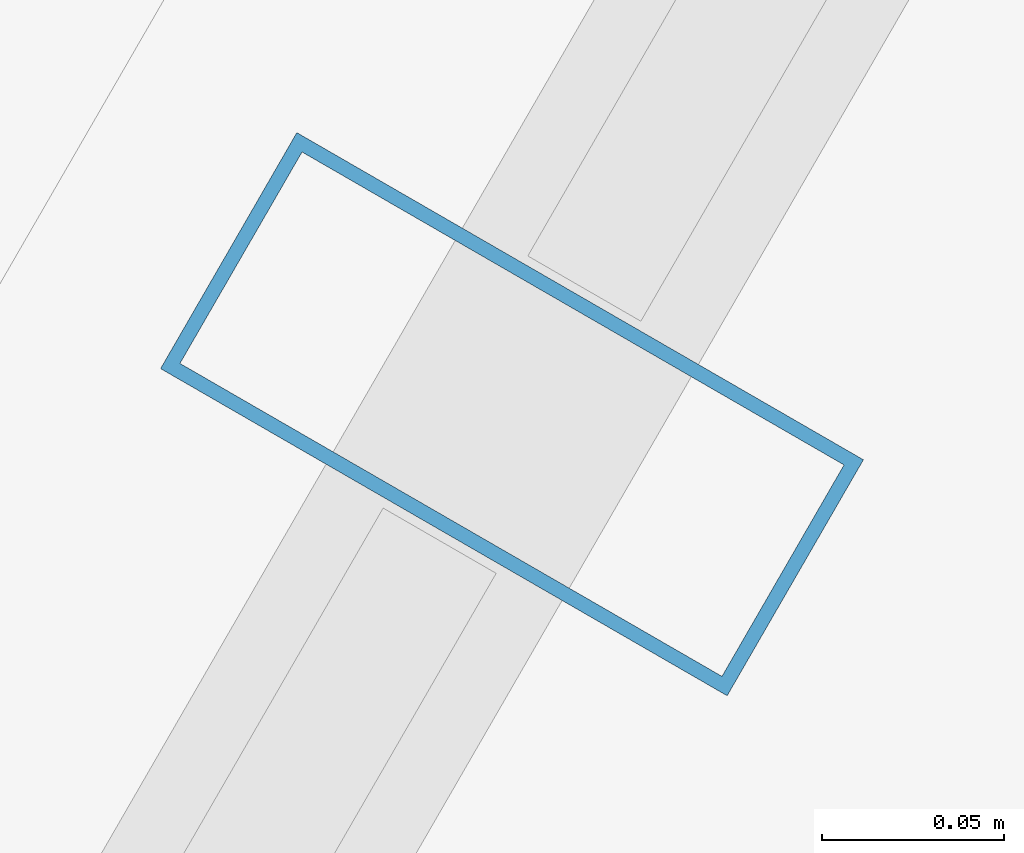
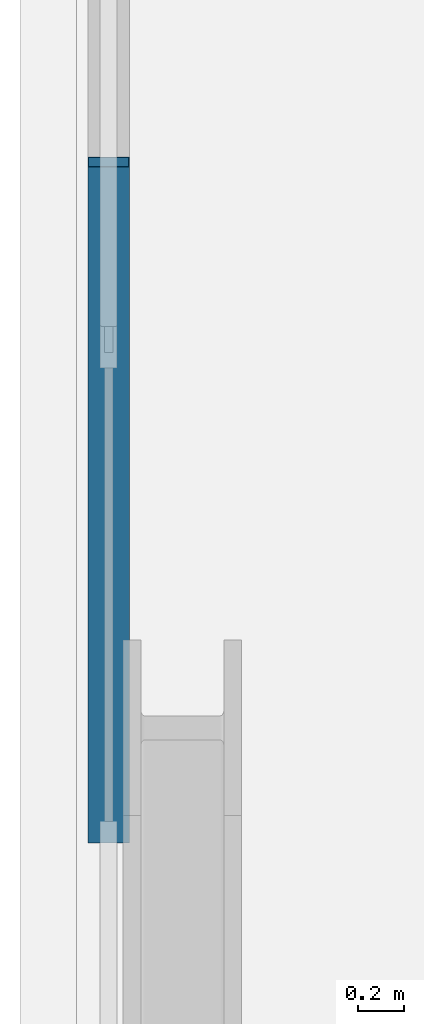
# One storey, part 14 of 32: 1 member, 1 element without a shape of its own.
"""IFC4 building model written with IfcOpenShell, lengths in metres."""

from ifc_helpers import new_model, si_unit, direction, frame, origin, origin_2d, place, context, subcontext, project, spatial, hollow_rectangle, extrude, material, layer, layer_set, material_profile, profile_set, type_object, element, aggregate, save


model = new_model("IFC4")

# Units and contexts
model_context = context("Model", 3, precision=1e-05, world=origin(), true_north=direction((0.0, 1.0)))
body_context = subcontext(model_context, "Body", "Model", "MODEL_VIEW")
ifc_project = project(units=[si_unit("LENGTHUNIT", "METRE"), si_unit("AREAUNIT", "SQUARE_METRE"), si_unit("VOLUMEUNIT", "CUBIC_METRE"), si_unit("PLANEANGLEUNIT", "RADIAN"), si_unit("MASSUNIT", "GRAM", prefix="KILO")], contexts=[model_context])

# Site, building, storey
site_placement = place(None, origin())
site = spatial("IfcSite", under=ifc_project, at=site_placement, CompositionType="ELEMENT")
building_placement = place(site_placement, origin())
building = spatial("IfcBuilding", under=site, at=building_placement, Name="Ndaravel Arena Tower", CompositionType="ELEMENT")
storey_placement = place(building_placement, frame((0.0, 0.0, 70.199951171875)))
storey = spatial("IfcBuildingStorey", under=building, at=storey_placement, Name="L15", CompositionType="ELEMENT", Elevation=70.199951171875)

# Curtain wall, member
ifc_material_1 = material(Name="Aluminium", Category="aluminium")
ifc_layer = layer(ifc_material_1, 0.179931640625)
ifc_layer_set = layer_set([ifc_layer], Name="Aluminium")
curtain_wall_type = type_object("IfcCurtainWallType", Name="CW-SYS-03", PredefinedType="NOTDEFINED", material=ifc_layer_set)
curtain_wall_placement = place(storey_placement, origin())
curtain_wall = element("IfcCurtainWall", 1, at=curtain_wall_placement, inside=storey, type_object=curtain_wall_type, Name="L15 Faceted Crystal Curtain Wall CW-L15-E05", PredefinedType="NOTDEFINED")
ifc_material_2 = material(Name="Aluminium", Category="aluminium")
ifc_material_profile = material_profile(ifc_material_2, hollow_rectangle(XDim=0.074951171875, YDim=0.179931640625, WallThickness=0.00390625, at=origin_2d()), Name="CW MULLION 75x180x4")
ifc_profile_set = profile_set([ifc_material_profile], Name="Aluminium")
member_type = type_object("IfcMemberType", Name="MEM-CW-MUL180", PredefinedType="MULLION", material=ifc_profile_set)
member_placement = place(storey_placement, frame((27.64990234375, 33.977783203125, 0.0), z_axis=(0.0, 0.0, 1.0), x_axis=(-0.5, -0.866025403784, 0.0)))
member = element("IfcMember", 2, at=member_placement, type_object=member_type, Name="CW-L15-E05 Mullion 03", PredefinedType="MULLION", context=body_context, shape_type="SweptSolid", body=[
    extrude(hollow_rectangle(XDim=0.074951171875, YDim=0.179931640625, WallThickness=0.00390625, at=origin_2d()), origin(), (0.0, 0.0, 1.0), 3.580078125),
])
aggregate(curtain_wall, [member])

save(model, "model.ifc")
